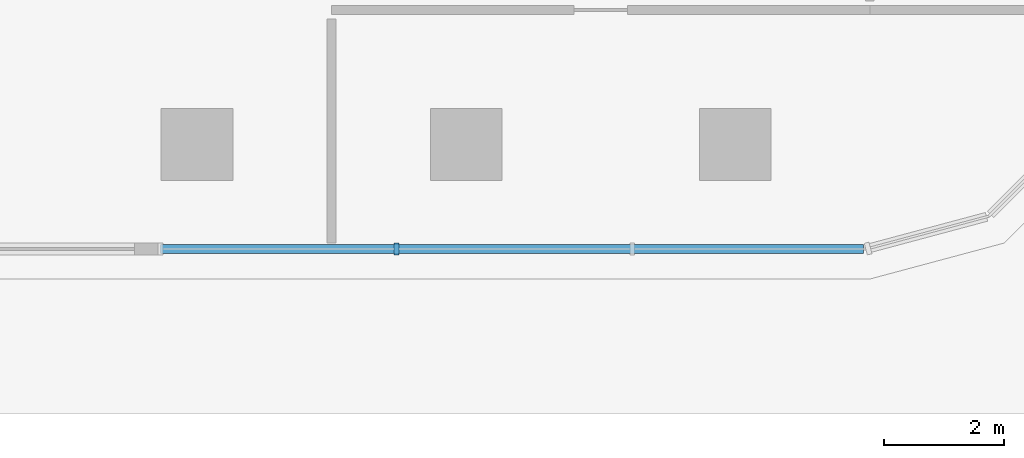
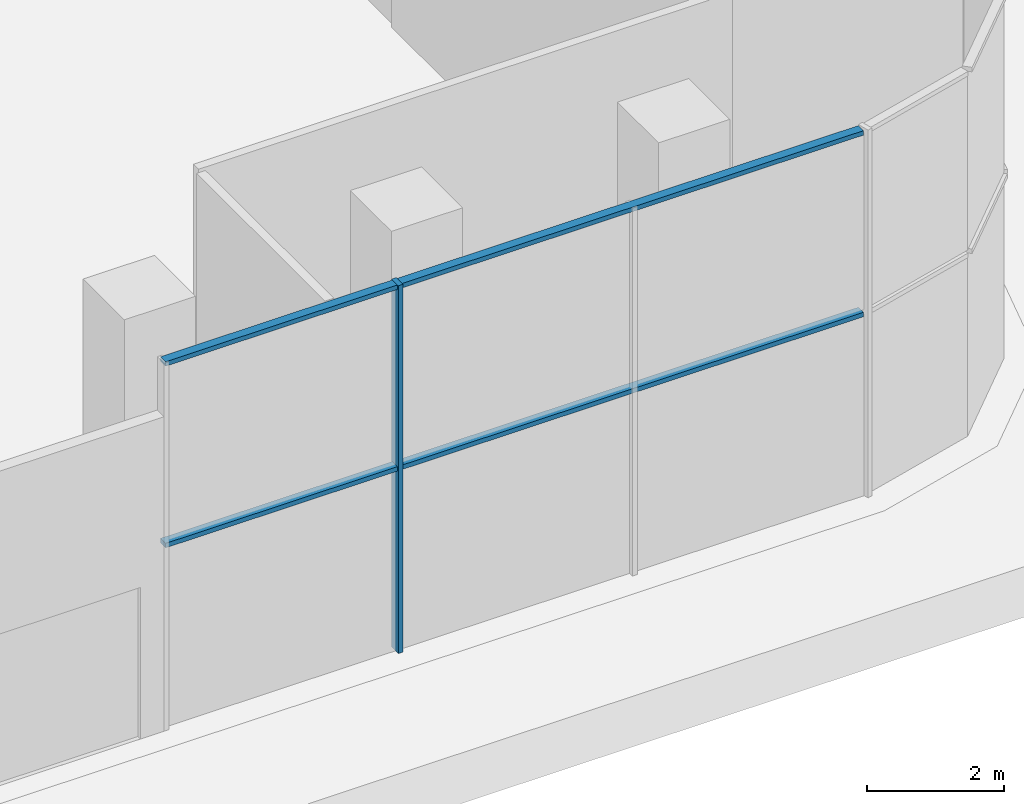
# One storey, part 3 of 34: 3 members, 1 element without a shape of its own.
"""IFC4 building model written with IfcOpenShell, lengths in metres."""

from ifc_helpers import new_model, si_unit, direction, origin, place, context, subcontext, project, spatial, polyline, outline, extrude, source, transform, mapped, material, type_object, element, aggregate, save


model = new_model("IFC4")

# Units and contexts
model_context = context("Model", 3, precision=1e-05, world=origin(), true_north=direction((0.0, 1.0)))
body_context = subcontext(model_context, "Body", "Model", "MODEL_VIEW")
ifc_project = project(units=[si_unit("LENGTHUNIT", "METRE"), si_unit("AREAUNIT", "SQUARE_METRE"), si_unit("VOLUMEUNIT", "CUBIC_METRE"), si_unit("PLANEANGLEUNIT", "RADIAN"), si_unit("MASSUNIT", "GRAM", prefix="KILO")], contexts=[model_context])

# Site, building, storey
site_placement = place(None, origin())
site = spatial("IfcSite", under=ifc_project, at=site_placement, CompositionType="ELEMENT")
building_placement = place(site_placement, origin())
building = spatial("IfcBuilding", under=site, at=building_placement, Name="Zarbagh Exchange Tower", CompositionType="ELEMENT")
storey_placement = place(building_placement, origin())
storey = spatial("IfcBuildingStorey", under=building, at=storey_placement, Name="L00", CompositionType="ELEMENT", Elevation=0.0)

# Curtain wall, members
ifc_material_1 = material(Name="Anodised aluminium frame and glazing", Category="aluminium")
curtain_wall_type = type_object("IfcCurtainWallType", Name="CWD Exchange hall wall glazing", PredefinedType="NOTDEFINED", material=ifc_material_1)
curtain_wall_placement = place(storey_placement, origin())
curtain_wall = element("IfcCurtainWall", 1, at=curtain_wall_placement, inside=storey, type_object=curtain_wall_type, Name="CWD09 curtain wall", PredefinedType="NOTDEFINED")
ifc_material_2 = material(Name="Anodised aluminium frame", Category="aluminium")
member_type_1 = type_object("IfcMemberType", Name="MUD Mullion, anodised aluminium frame", PredefinedType="MULLION", material=ifc_material_2)
shared_shape_1 = source(origin(), body_context, "Body", "SweptSolid", [
    extrude(outline(polyline([(0.0, -0.10009765625), (0.080078125, -0.10009765625), (0.080078125, 0.10009765625), (0.0, 0.10009765625), (0.0, -0.10009765625)])), origin(), (0.0, 0.0, 1.0), 6.550048828125),
])
placement = place(storey_placement, origin())
member_1 = element("IfcMember", 2, at=placement, type_object=member_type_1, Name="CWD09 mullion 2.2", PredefinedType="MULLION", context=body_context, shape_type="MappedRepresentation", body=[
    mapped(shared_shape_1, transform((5.544677734375, -67.0, 0.0), x_axis=(1.0, 0.0, 0.0), y_axis=(0.0, 1.0, 0.0), z_axis=(0.0, 0.0, 1.0))),
])
member_type_2 = type_object("IfcMemberType", Name="TRD Transom, anodised aluminium frame", PredefinedType="USERDEFINED", material=ifc_material_2)
shared_shape_2 = source(origin(), body_context, "Body", "SweptSolid", [
    extrude(outline(polyline([(-0.080078125, -0.074951171875), (0.0, -0.074951171875), (0.0, 0.074951171875), (-0.080078125, 0.074951171875), (-0.080078125, -0.074951171875)])), origin(), (0.0, 0.0, 1.0), 11.754150390625),
])
member_2 = element("IfcMember", 3, at=placement, type_object=member_type_2, Name="CWD09 transom 2.1", ObjectType="TRANSOM", PredefinedType="USERDEFINED", context=body_context, shape_type="MappedRepresentation", body=[
    mapped(shared_shape_2, transform((1.639892578125, -67.0, 6.550048828125), x_axis=(0.0, 0.0, 1.0), y_axis=(0.0, -1.0, 0.0), z_axis=(1.0, 0.0, 0.0))),
])
shared_shape_3 = source(origin(), body_context, "Body", "SweptSolid", [
    extrude(outline(polyline([(-0.0400390625, -0.074951171875), (0.0400390625, -0.074951171875), (0.0400390625, 0.074951171875), (-0.0400390625, 0.074951171875), (-0.0400390625, -0.074951171875)])), origin(), (0.0, 0.0, 1.0), 11.754150390625),
])
member_3 = element("IfcMember", 4, at=placement, type_object=member_type_2, Name="CWD09 mid transom 2", ObjectType="TRANSOM", PredefinedType="USERDEFINED", context=body_context, shape_type="MappedRepresentation", body=[
    mapped(shared_shape_3, transform((1.639892578125, -67.0, 3.27490234375), x_axis=(0.0, 0.0, 1.0), y_axis=(0.0, -1.0, 0.0), z_axis=(1.0, 0.0, 0.0))),
])
aggregate(curtain_wall, [member_2, member_3, member_1])

save(model, "model.ifc")
